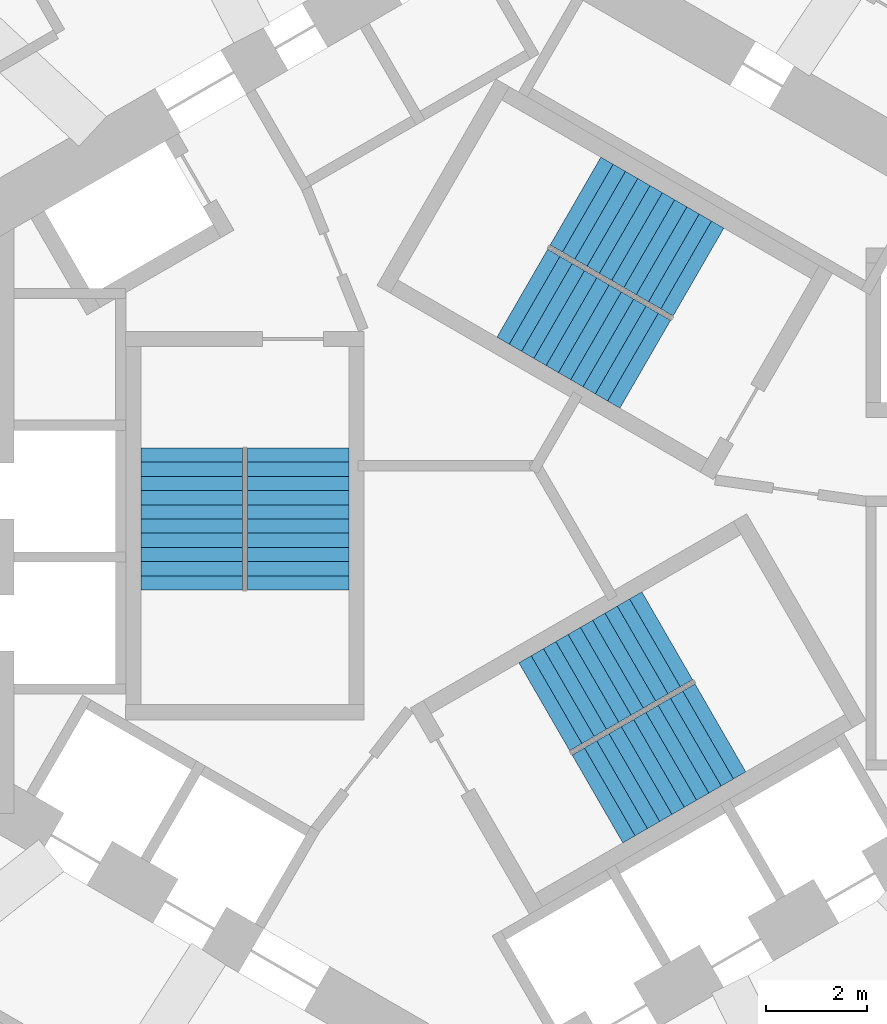
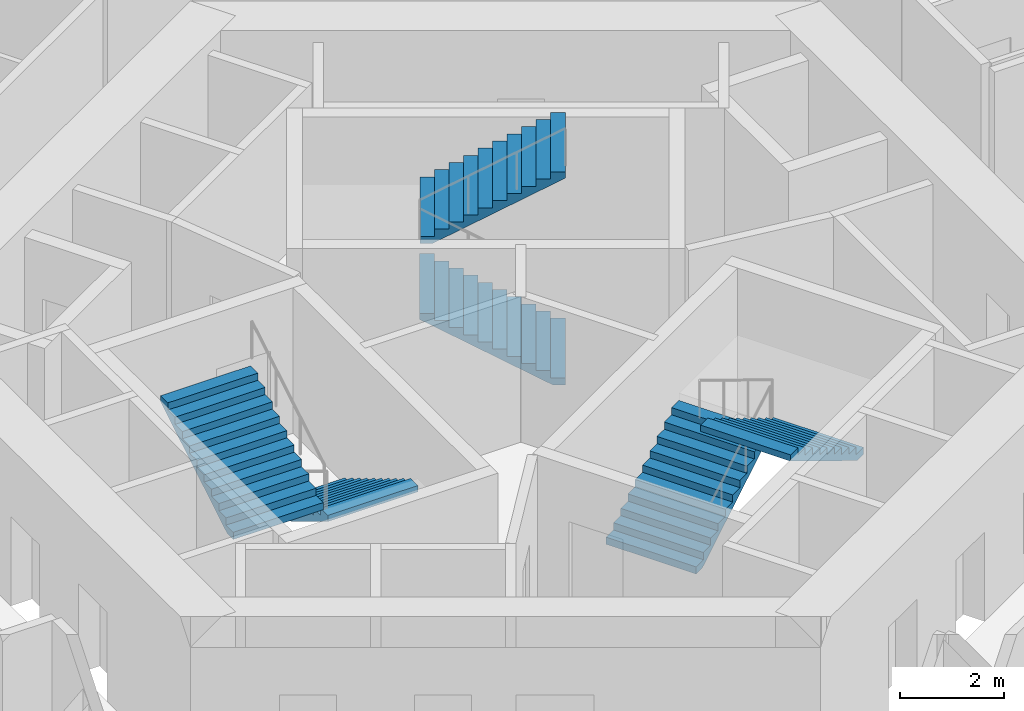
# One storey, part 9 of 11: 6 stair flights, 3 elements without a shape of their own.
"""IFC4 building model written with IfcOpenShell, lengths in metres."""

from ifc_helpers import new_model, si_unit, direction, frame, origin, place, context, subcontext, project, spatial, triangles, source, transform, mapped, material, type_object, element, aggregate, save


model = new_model("IFC4")

# Units and contexts
model_context = context("Model", 3, precision=1e-05, world=origin(), true_north=direction((0.0, 1.0)))
body_context = subcontext(model_context, "Body", "Model", "MODEL_VIEW")
ifc_project = project(units=[si_unit("LENGTHUNIT", "METRE"), si_unit("AREAUNIT", "SQUARE_METRE"), si_unit("VOLUMEUNIT", "CUBIC_METRE"), si_unit("PLANEANGLEUNIT", "RADIAN"), si_unit("MASSUNIT", "GRAM", prefix="KILO")], contexts=[model_context])

# Site, building, storey
site_placement = place(None, origin())
site = spatial("IfcSite", under=ifc_project, at=site_placement, CompositionType="ELEMENT")
building_placement = place(site_placement, origin())
building = spatial("IfcBuilding", under=site, at=building_placement, Name="Vanh Sen Convention Tower", CompositionType="ELEMENT")
storey_placement = place(building_placement, frame((0.0, 0.0, 183.60009765625)))
storey = spatial("IfcBuildingStorey", under=building, at=storey_placement, Name="L45", CompositionType="ELEMENT", Elevation=183.60009765625)

# Stair, stair flights
ifc_material_1 = material(Name="Concrete C50/60", Category="concrete")
stair_type_1 = type_object("IfcStairType", Name="Exit stair ST1 22 risers at 168.2", PredefinedType="HALF_TURN_STAIR", material=ifc_material_1)
stair_1_placement = place(storey_placement, origin())
stair_1 = element("IfcStair", 1, at=stair_1_placement, inside=storey, type_object=stair_type_1, Name="Exit stair ST1 L45", PredefinedType="HALF_TURN_STAIR")
ifc_material_2 = material(Name="Concrete C40/50", Category="concrete")
stair_flight_type = type_object("IfcStairFlightType", Name="Stair flight 2000", PredefinedType="STRAIGHT", material=ifc_material_2)
shared_shape = source(origin(), body_context, "Body", "Tessellation", [
    triangles([(0.24267578125, 1.0, 0.0), (0.0, 1.0, 0.0), (0.0, 1.0, 0.168212890625), (0.280029296875, 1.0, 0.168212890625), (0.280029296875, 1.0, 0.33642578125), (0.56005859375, 1.0, 0.33642578125), (0.56005859375, 1.0, 0.504638671875), (0.840087890625, 1.0, 0.504638671875), (0.840087890625, 1.0, 0.672607421875), (1.1201171875, 1.0, 0.672607421875), (1.1201171875, 1.0, 0.8408203125), (1.39990234375, 1.0, 0.8408203125), (1.39990234375, 1.0, 1.009033203125), (1.679931640625, 1.0, 1.009033203125), (1.679931640625, 1.0, 1.17724609375), (1.9599609375, 1.0, 1.17724609375), (1.9599609375, 1.0, 1.345458984375), (2.239990234375, 1.0, 1.345458984375), (2.239990234375, 1.0, 1.513671875), (2.52001953125, 1.0, 1.513671875), (2.52001953125, 1.0, 1.681884765625), (2.800048828125, 1.0, 1.681884765625), (2.800048828125, 1.0, 1.535888671875), (0.24267578125, -1.0, 0.0), (0.0, -1.0, 0.0), (0.0, -1.0, 0.168212890625), (0.280029296875, -1.0, 0.168212890625), (0.280029296875, -1.0, 0.33642578125), (0.56005859375, -1.0, 0.33642578125), (0.56005859375, -1.0, 0.504638671875), (0.840087890625, -1.0, 0.504638671875), (0.840087890625, -1.0, 0.672607421875), (1.1201171875, -1.0, 0.672607421875), (1.1201171875, -1.0, 0.8408203125), (1.39990234375, -1.0, 0.8408203125), (1.39990234375, -1.0, 1.009033203125), (1.679931640625, -1.0, 1.009033203125), (1.679931640625, -1.0, 1.17724609375), (1.9599609375, -1.0, 1.17724609375), (1.9599609375, -1.0, 1.345458984375), (2.239990234375, -1.0, 1.345458984375), (2.239990234375, -1.0, 1.513671875), (2.52001953125, -1.0, 1.513671875), (2.52001953125, -1.0, 1.681884765625), (2.800048828125, -1.0, 1.681884765625), (2.800048828125, -1.0, 1.535888671875), (0.0, 0.0400390625, 0.0), (0.0, 0.0390625, 0.0), (0.0, 0.0380859375, 0.0), (0.0, 0.037109375, 0.0), (0.0, 0.035888671875, 0.0), (0.0, 0.034912109375, 0.0), (0.0, 0.033935546875, 0.0), (0.0, 0.032958984375, 0.0), (0.0, 0.031982421875, 0.0), (0.0, 0.031005859375, 0.0), (0.0, 0.030029296875, 0.0), (0.0, 0.029052734375, 0.0), (0.0, 0.028076171875, 0.0), (0.0, 0.027099609375, 0.0), (0.0, 0.02587890625, 0.0), (0.0, 0.02490234375, 0.0), (0.0, 0.02392578125, 0.0), (0.0, 0.02294921875, 0.0), (0.0, 0.02197265625, 0.0), (0.0, 0.02099609375, 0.0), (0.0, 0.02001953125, 0.0), (0.0, 0.01904296875, 0.0), (0.0, 0.01806640625, 0.0), (0.0, 0.01708984375, 0.0), (0.0, 0.01611328125, 0.0), (0.0, 0.014892578125, 0.0), (0.0, 0.013916015625, 0.0), (0.0, 0.012939453125, 0.0), (0.0, 0.011962890625, 0.0), (0.0, 0.010986328125, 0.0), (0.0, 0.010009765625, 0.0), (0.0, 0.009033203125, 0.0), (0.0, 0.008056640625, 0.0), (0.0, 0.007080078125, 0.0), (0.0, 0.006103515625, 0.0), (0.0, 0.0048828125, 0.0), (0.0, 0.00390625, 0.0), (0.0, 0.0029296875, 0.0), (0.0, 0.001953125, 0.0), (0.0, 0.0009765625, 0.0), (0.0, 0.0, 0.0), (0.0, -0.0009765625, 0.0), (0.0, -0.001953125, 0.0), (0.0, -0.0029296875, 0.0), (0.0, -0.00390625, 0.0), (0.0, -0.0048828125, 0.0), (0.0, -0.006103515625, 0.0), (0.0, -0.007080078125, 0.0), (0.0, -0.008056640625, 0.0), (0.0, -0.009033203125, 0.0), (0.0, -0.010009765625, 0.0), (0.0, -0.010986328125, 0.0), (0.0, -0.011962890625, 0.0), (0.0, -0.012939453125, 0.0), (0.0, -0.013916015625, 0.0), (0.0, -0.014892578125, 0.0), (0.0, -0.01611328125, 0.0), (0.0, -0.01708984375, 0.0), (0.0, -0.01806640625, 0.0), (0.0, -0.01904296875, 0.0), (0.0, -0.02001953125, 0.0), (0.0, -0.02099609375, 0.0), (0.0, -0.02197265625, 0.0), (0.0, -0.02294921875, 0.0), (0.0, -0.02392578125, 0.0), (0.0, -0.02490234375, 0.0), (0.0, -0.02587890625, 0.0), (0.0, -0.027099609375, 0.0), (0.0, -0.028076171875, 0.0), (0.0, -0.029052734375, 0.0), (0.0, -0.030029296875, 0.0), (0.0, -0.031005859375, 0.0), (0.0, -0.031982421875, 0.0), (0.0, -0.032958984375, 0.0), (0.0, -0.033935546875, 0.0), (0.0, -0.034912109375, 0.0), (0.0, -0.035888671875, 0.0), (0.0, -0.037109375, 0.0), (0.0, -0.0380859375, 0.0), (0.0, -0.0390625, 0.0), (0.0, -0.0400390625, 0.0), (0.0, 0.0400390625, 0.168212890625), (0.0, 0.0390625, 0.168212890625), (0.0, 0.0380859375, 0.168212890625), (0.0, 0.037109375, 0.168212890625), (0.0, 0.035888671875, 0.168212890625), (0.0, 0.034912109375, 0.168212890625), (0.0, 0.033935546875, 0.168212890625), (0.0, 0.032958984375, 0.168212890625), (0.0, 0.031982421875, 0.168212890625), (0.0, 0.031005859375, 0.168212890625), (0.0, 0.030029296875, 0.168212890625), (0.0, 0.029052734375, 0.168212890625), (0.0, 0.028076171875, 0.168212890625), (0.0, 0.027099609375, 0.168212890625), (0.0, 0.02587890625, 0.168212890625), (0.0, 0.02490234375, 0.168212890625), (0.0, 0.02392578125, 0.168212890625), (0.0, 0.02294921875, 0.168212890625), (0.0, 0.02197265625, 0.168212890625), (0.0, 0.02099609375, 0.168212890625), (0.0, 0.02001953125, 0.168212890625), (0.0, 0.01904296875, 0.168212890625), (0.0, 0.01806640625, 0.168212890625), (0.0, 0.01708984375, 0.168212890625), (0.0, 0.01611328125, 0.168212890625), (0.0, 0.014892578125, 0.168212890625), (0.0, 0.013916015625, 0.168212890625), (0.0, 0.012939453125, 0.168212890625), (0.0, 0.011962890625, 0.168212890625), (0.0, 0.010986328125, 0.168212890625), (0.0, 0.010009765625, 0.168212890625), (0.0, 0.009033203125, 0.168212890625), (0.0, 0.008056640625, 0.168212890625), (0.0, 0.007080078125, 0.168212890625), (0.0, 0.006103515625, 0.168212890625), (0.0, 0.0048828125, 0.168212890625), (0.0, 0.00390625, 0.168212890625), (0.0, 0.0029296875, 0.168212890625), (0.0, 0.001953125, 0.168212890625), (0.0, 0.0009765625, 0.168212890625), (0.0, 0.0, 0.168212890625), (0.0, -0.0009765625, 0.168212890625), (0.0, -0.001953125, 0.168212890625), (0.0, -0.0029296875, 0.168212890625), (0.0, -0.00390625, 0.168212890625), (0.0, -0.0048828125, 0.168212890625), (0.0, -0.006103515625, 0.168212890625), (0.0, -0.007080078125, 0.168212890625), (0.0, -0.008056640625, 0.168212890625), (0.0, -0.009033203125, 0.168212890625), (0.0, -0.010009765625, 0.168212890625), (0.0, -0.010986328125, 0.168212890625), (0.0, -0.011962890625, 0.168212890625), (0.0, -0.012939453125, 0.168212890625), (0.0, -0.013916015625, 0.168212890625), (0.0, -0.014892578125, 0.168212890625), (0.0, -0.01611328125, 0.168212890625), (0.0, -0.01708984375, 0.168212890625), (0.0, -0.01806640625, 0.168212890625), (0.0, -0.01904296875, 0.168212890625), (0.0, -0.02001953125, 0.168212890625), (0.0, -0.02099609375, 0.168212890625), (0.0, -0.02197265625, 0.168212890625), (0.0, -0.02294921875, 0.168212890625), (0.0, -0.02392578125, 0.168212890625), (0.0, -0.02490234375, 0.168212890625), (0.0, -0.02587890625, 0.168212890625), (0.0, -0.027099609375, 0.168212890625), (0.0, -0.028076171875, 0.168212890625), (0.0, -0.029052734375, 0.168212890625), (0.0, -0.030029296875, 0.168212890625), (0.0, -0.031005859375, 0.168212890625), (0.0, -0.031982421875, 0.168212890625), (0.0, -0.032958984375, 0.168212890625), (0.0, -0.033935546875, 0.168212890625), (0.0, -0.034912109375, 0.168212890625), (0.0, -0.035888671875, 0.168212890625), (0.0, -0.037109375, 0.168212890625), (0.0, -0.0380859375, 0.168212890625), (0.0, -0.0390625, 0.168212890625), (0.0, -0.0400390625, 0.168212890625), (0.280029296875, 0.0, 0.168212890625), (0.280029296875, 0.0, 0.33642578125), (0.56005859375, 0.0, 0.33642578125), (0.56005859375, 0.0, 0.504638671875), (0.840087890625, 0.0, 0.504638671875), (0.840087890625, 0.0, 0.672607421875), (1.1201171875, 0.0, 0.672607421875), (1.1201171875, 0.0, 0.8408203125), (1.39990234375, 0.0, 0.8408203125), (1.39990234375, 0.0, 1.009033203125), (1.679931640625, 0.0, 1.009033203125), (1.679931640625, 0.0, 1.17724609375), (1.9599609375, 0.0, 1.17724609375), (1.9599609375, 0.0, 1.345458984375), (2.239990234375, 0.0, 1.345458984375), (2.239990234375, 0.0, 1.513671875), (2.52001953125, 0.0, 1.513671875), (2.52001953125, 0.0, 1.681884765625), (2.800048828125, 0.0400390625, 1.681884765625), (2.800048828125, 0.0390625, 1.681884765625), (2.800048828125, 0.0380859375, 1.681884765625), (2.800048828125, 0.037109375, 1.681884765625), (2.800048828125, 0.035888671875, 1.681884765625), (2.800048828125, 0.034912109375, 1.681884765625), (2.800048828125, 0.033935546875, 1.681884765625), (2.800048828125, 0.032958984375, 1.681884765625), (2.800048828125, 0.031982421875, 1.681884765625), (2.800048828125, 0.031005859375, 1.681884765625), (2.800048828125, 0.030029296875, 1.681884765625), (2.800048828125, 0.029052734375, 1.681884765625), (2.800048828125, 0.028076171875, 1.681884765625), (2.800048828125, 0.027099609375, 1.681884765625), (2.800048828125, 0.02587890625, 1.681884765625), (2.800048828125, 0.02490234375, 1.681884765625), (2.800048828125, 0.02392578125, 1.681884765625), (2.800048828125, 0.02294921875, 1.681884765625), (2.800048828125, 0.02197265625, 1.681884765625), (2.800048828125, 0.02099609375, 1.681884765625), (2.800048828125, 0.02001953125, 1.681884765625), (2.800048828125, 0.01904296875, 1.681884765625), (2.800048828125, 0.01806640625, 1.681884765625), (2.800048828125, 0.01708984375, 1.681884765625), (2.800048828125, 0.01611328125, 1.681884765625), (2.800048828125, 0.014892578125, 1.681884765625), (2.800048828125, 0.013916015625, 1.681884765625), (2.800048828125, 0.012939453125, 1.681884765625), (2.800048828125, 0.011962890625, 1.681884765625), (2.800048828125, 0.010986328125, 1.681884765625), (2.800048828125, 0.010009765625, 1.681884765625), (2.800048828125, 0.009033203125, 1.681884765625), (2.800048828125, 0.008056640625, 1.681884765625), (2.800048828125, 0.007080078125, 1.681884765625), (2.800048828125, 0.006103515625, 1.681884765625), (2.800048828125, 0.0048828125, 1.681884765625), (2.800048828125, 0.00390625, 1.681884765625), (2.800048828125, 0.0029296875, 1.681884765625), (2.800048828125, 0.001953125, 1.681884765625), (2.800048828125, 0.0009765625, 1.681884765625), (2.800048828125, 0.0, 1.681884765625), (2.800048828125, -0.0009765625, 1.681884765625), (2.800048828125, -0.001953125, 1.681884765625), (2.800048828125, -0.0029296875, 1.681884765625), (2.800048828125, -0.00390625, 1.681884765625), (2.800048828125, -0.0048828125, 1.681884765625), (2.800048828125, -0.006103515625, 1.681884765625), (2.800048828125, -0.007080078125, 1.681884765625), (2.800048828125, -0.008056640625, 1.681884765625), (2.800048828125, -0.009033203125, 1.681884765625), (2.800048828125, -0.010009765625, 1.681884765625), (2.800048828125, -0.010986328125, 1.681884765625), (2.800048828125, -0.011962890625, 1.681884765625), (2.800048828125, -0.012939453125, 1.681884765625), (2.800048828125, -0.013916015625, 1.681884765625), (2.800048828125, -0.014892578125, 1.681884765625), (2.800048828125, -0.01611328125, 1.681884765625), (2.800048828125, -0.01708984375, 1.681884765625), (2.800048828125, -0.01806640625, 1.681884765625), (2.800048828125, -0.01904296875, 1.681884765625), (2.800048828125, -0.02001953125, 1.681884765625), (2.800048828125, -0.02099609375, 1.681884765625), (2.800048828125, -0.02197265625, 1.681884765625), (2.800048828125, -0.02294921875, 1.681884765625), (2.800048828125, -0.02392578125, 1.681884765625), (2.800048828125, -0.02490234375, 1.681884765625), (2.800048828125, -0.02587890625, 1.681884765625), (2.800048828125, -0.027099609375, 1.681884765625), (2.800048828125, -0.028076171875, 1.681884765625), (2.800048828125, -0.029052734375, 1.681884765625), (2.800048828125, -0.030029296875, 1.681884765625), (2.800048828125, -0.031005859375, 1.681884765625), (2.800048828125, -0.031982421875, 1.681884765625), (2.800048828125, -0.032958984375, 1.681884765625), (2.800048828125, -0.033935546875, 1.681884765625), (2.800048828125, -0.034912109375, 1.681884765625), (2.800048828125, -0.035888671875, 1.681884765625), (2.800048828125, -0.037109375, 1.681884765625), (2.800048828125, -0.0380859375, 1.681884765625), (2.800048828125, -0.0390625, 1.681884765625), (2.800048828125, -0.0400390625, 1.681884765625), (2.800048828125, 0.0400390625, 1.535888671875), (2.800048828125, 0.0390625, 1.535888671875), (2.800048828125, 0.0380859375, 1.535888671875), (2.800048828125, 0.037109375, 1.535888671875), (2.800048828125, 0.035888671875, 1.535888671875), (2.800048828125, 0.034912109375, 1.535888671875), (2.800048828125, 0.033935546875, 1.535888671875), (2.800048828125, 0.032958984375, 1.535888671875), (2.800048828125, 0.031982421875, 1.535888671875), (2.800048828125, 0.031005859375, 1.535888671875), (2.800048828125, 0.030029296875, 1.535888671875), (2.800048828125, 0.029052734375, 1.535888671875), (2.800048828125, 0.028076171875, 1.535888671875), (2.800048828125, 0.027099609375, 1.535888671875), (2.800048828125, 0.02587890625, 1.535888671875), (2.800048828125, 0.02490234375, 1.535888671875), (2.800048828125, 0.02392578125, 1.535888671875), (2.800048828125, 0.02294921875, 1.535888671875), (2.800048828125, 0.02197265625, 1.535888671875), (2.800048828125, 0.02099609375, 1.535888671875), (2.800048828125, 0.02001953125, 1.535888671875), (2.800048828125, 0.01904296875, 1.535888671875), (2.800048828125, 0.01806640625, 1.535888671875), (2.800048828125, 0.01708984375, 1.535888671875), (2.800048828125, 0.01611328125, 1.535888671875), (2.800048828125, 0.014892578125, 1.535888671875), (2.800048828125, 0.013916015625, 1.535888671875), (2.800048828125, 0.012939453125, 1.535888671875), (2.800048828125, 0.011962890625, 1.535888671875), (2.800048828125, 0.010986328125, 1.535888671875), (2.800048828125, 0.010009765625, 1.535888671875), (2.800048828125, 0.009033203125, 1.535888671875), (2.800048828125, 0.008056640625, 1.535888671875), (2.800048828125, 0.007080078125, 1.535888671875), (2.800048828125, 0.006103515625, 1.535888671875), (2.800048828125, 0.0048828125, 1.535888671875), (2.800048828125, 0.00390625, 1.535888671875), (2.800048828125, 0.0029296875, 1.535888671875), (2.800048828125, 0.001953125, 1.535888671875), (2.800048828125, 0.0009765625, 1.535888671875), (2.800048828125, 0.0, 1.535888671875), (2.800048828125, -0.0009765625, 1.535888671875), (2.800048828125, -0.001953125, 1.535888671875), (2.800048828125, -0.0029296875, 1.535888671875), (2.800048828125, -0.00390625, 1.535888671875), (2.800048828125, -0.0048828125, 1.535888671875), (2.800048828125, -0.006103515625, 1.535888671875), (2.800048828125, -0.007080078125, 1.535888671875), (2.800048828125, -0.008056640625, 1.535888671875), (2.800048828125, -0.009033203125, 1.535888671875), (2.800048828125, -0.010009765625, 1.535888671875), (2.800048828125, -0.010986328125, 1.535888671875), (2.800048828125, -0.011962890625, 1.535888671875), (2.800048828125, -0.012939453125, 1.535888671875), (2.800048828125, -0.013916015625, 1.535888671875), (2.800048828125, -0.014892578125, 1.535888671875), (2.800048828125, -0.01611328125, 1.535888671875), (2.800048828125, -0.01708984375, 1.535888671875), (2.800048828125, -0.01806640625, 1.535888671875), (2.800048828125, -0.01904296875, 1.535888671875), (2.800048828125, -0.02001953125, 1.535888671875), (2.800048828125, -0.02099609375, 1.535888671875), (2.800048828125, -0.02197265625, 1.535888671875), (2.800048828125, -0.02294921875, 1.535888671875), (2.800048828125, -0.02392578125, 1.535888671875), (2.800048828125, -0.02490234375, 1.535888671875), (2.800048828125, -0.02587890625, 1.535888671875), (2.800048828125, -0.027099609375, 1.535888671875), (2.800048828125, -0.028076171875, 1.535888671875), (2.800048828125, -0.029052734375, 1.535888671875), (2.800048828125, -0.030029296875, 1.535888671875), (2.800048828125, -0.031005859375, 1.535888671875), (2.800048828125, -0.031982421875, 1.535888671875), (2.800048828125, -0.032958984375, 1.535888671875), (2.800048828125, -0.033935546875, 1.535888671875), (2.800048828125, -0.034912109375, 1.535888671875), (2.800048828125, -0.035888671875, 1.535888671875), (2.800048828125, -0.037109375, 1.535888671875), (2.800048828125, -0.0380859375, 1.535888671875), (2.800048828125, -0.0390625, 1.535888671875), (2.800048828125, -0.0400390625, 1.535888671875), (0.24267578125, 0.0, 0.0)], [[1, 2, 3], [1, 3, 4], [4, 5, 6], [1, 4, 6], [6, 7, 8], [1, 6, 8], [8, 9, 10], [1, 8, 10], [10, 11, 12], [1, 10, 12], [12, 13, 14], [1, 12, 14], [14, 15, 16], [1, 14, 16], [16, 17, 18], [1, 16, 18], [18, 19, 20], [1, 18, 20], [20, 21, 22], [1, 20, 22], [22, 23, 1], [24, 26, 25], [24, 27, 26], [27, 29, 28], [24, 29, 27], [29, 31, 30], [24, 31, 29], [31, 33, 32], [24, 33, 31], [33, 35, 34], [24, 35, 33], [35, 37, 36], [24, 37, 35], [37, 39, 38], [24, 39, 37], [39, 41, 40], [24, 41, 39], [41, 43, 42], [24, 43, 41], [43, 45, 44], [24, 45, 43], [45, 24, 46], [2, 128, 3], [2, 47, 128], [47, 129, 128], [47, 48, 129], [48, 130, 129], [48, 49, 130], [49, 131, 130], [49, 50, 131], [50, 132, 131], [50, 51, 132], [51, 133, 132], [51, 52, 133], [52, 134, 133], [52, 53, 134], [53, 135, 134], [53, 54, 135], [54, 136, 135], [54, 55, 136], [55, 137, 136], [55, 56, 137], [56, 138, 137], [56, 57, 138], [57, 139, 138], [57, 58, 139], [58, 140, 139], [58, 59, 140], [59, 141, 140], [59, 60, 141], [60, 142, 141], [60, 61, 142], [61, 143, 142], [61, 62, 143], [62, 144, 143], [62, 63, 144], [63, 145, 144], [63, 64, 145], [64, 146, 145], [64, 65, 146], [65, 147, 146], [65, 66, 147], [66, 148, 147], [66, 67, 148], [67, 149, 148], [67, 68, 149], [68, 150, 149], [68, 69, 150], [69, 151, 150], [69, 70, 151], [70, 152, 151], [70, 71, 152], [71, 153, 152], [71, 72, 153], [72, 154, 153], [72, 73, 154], [73, 155, 154], [73, 74, 155], [74, 156, 155], [74, 75, 156], [75, 157, 156], [75, 76, 157], [76, 158, 157], [76, 77, 158], [77, 159, 158], [77, 78, 159], [78, 160, 159], [78, 79, 160], [79, 161, 160], [79, 80, 161], [80, 162, 161], [80, 81, 162], [81, 163, 162], [81, 82, 163], [82, 164, 163], [82, 83, 164], [83, 165, 164], [83, 84, 165], [84, 166, 165], [84, 85, 166], [85, 167, 166], [85, 86, 167], [86, 168, 167], [86, 87, 168], [87, 88, 168], [168, 88, 169], [88, 89, 169], [169, 89, 170], [89, 90, 170], [170, 90, 171], [90, 91, 171], [171, 91, 172], [91, 92, 172], [172, 92, 173], [92, 93, 173], [173, 93, 174], [93, 94, 174], [174, 94, 175], [94, 95, 175], [175, 95, 176], [95, 96, 176], [176, 96, 177], [96, 97, 177], [177, 97, 178], [97, 98, 178], [178, 98, 179], [98, 99, 179], [179, 99, 180], [99, 100, 180], [180, 100, 181], [100, 101, 181], [181, 101, 182], [101, 102, 182], [182, 102, 183], [102, 103, 183], [183, 103, 184], [103, 104, 184], [184, 104, 185], [104, 105, 185], [185, 105, 186], [105, 106, 186], [186, 106, 187], [106, 107, 187], [187, 107, 188], [107, 108, 188], [188, 108, 189], [108, 109, 189], [189, 109, 190], [109, 110, 190], [190, 110, 191], [110, 111, 191], [191, 111, 192], [111, 112, 192], [192, 112, 193], [112, 113, 193], [193, 113, 194], [113, 114, 194], [194, 114, 195], [114, 115, 195], [195, 115, 196], [115, 116, 196], [196, 116, 197], [116, 117, 197], [197, 117, 198], [117, 118, 198], [198, 118, 199], [118, 119, 199], [199, 119, 200], [119, 120, 200], [200, 120, 201], [120, 121, 201], [201, 121, 202], [121, 122, 202], [202, 122, 203], [122, 123, 203], [203, 123, 204], [123, 124, 204], [204, 124, 205], [124, 125, 205], [205, 125, 206], [125, 126, 206], [206, 126, 207], [126, 127, 207], [207, 127, 208], [127, 25, 208], [208, 25, 26], [4, 3, 128], [4, 128, 129], [4, 129, 130], [4, 130, 131], [4, 131, 132], [4, 132, 133], [4, 133, 134], [4, 134, 135], [4, 135, 136], [4, 136, 137], [4, 137, 138], [4, 138, 139], [4, 139, 140], [4, 140, 141], [4, 141, 142], [4, 142, 143], [4, 143, 144], [4, 144, 145], [4, 145, 146], [4, 146, 147], [4, 147, 148], [4, 148, 149], [4, 149, 150], [4, 150, 151], [4, 151, 152], [4, 152, 153], [4, 153, 154], [4, 154, 155], [4, 155, 156], [4, 156, 157], [4, 157, 158], [4, 158, 159], [4, 159, 160], [4, 160, 161], [4, 161, 162], [4, 162, 163], [4, 163, 164], [4, 164, 165], [4, 165, 166], [4, 166, 167], [4, 167, 168], [27, 168, 169], [27, 169, 170], [27, 170, 171], [27, 171, 172], [27, 172, 173], [27, 173, 174], [27, 174, 175], [27, 175, 176], [27, 176, 177], [27, 177, 178], [27, 178, 179], [27, 179, 180], [27, 180, 181], [27, 181, 182], [27, 182, 183], [27, 183, 184], [27, 184, 185], [27, 185, 186], [27, 186, 187], [27, 187, 188], [27, 188, 189], [27, 189, 190], [27, 190, 191], [27, 191, 192], [27, 192, 193], [27, 193, 194], [27, 194, 195], [27, 195, 196], [27, 196, 197], [27, 197, 198], [27, 198, 199], [27, 199, 200], [27, 200, 201], [27, 201, 202], [27, 202, 203], [27, 203, 204], [27, 204, 205], [27, 205, 206], [27, 206, 207], [27, 207, 208], [27, 208, 26], [4, 168, 209], [27, 209, 168], [4, 210, 5], [4, 209, 210], [209, 27, 210], [210, 27, 28], [5, 211, 6], [5, 210, 211], [210, 28, 211], [211, 28, 29], [6, 212, 7], [6, 211, 212], [211, 29, 212], [212, 29, 30], [7, 213, 8], [7, 212, 213], [212, 30, 213], [213, 30, 31], [8, 214, 9], [8, 213, 214], [213, 31, 214], [214, 31, 32], [9, 215, 10], [9, 214, 215], [214, 32, 215], [215, 32, 33], [10, 216, 11], [10, 215, 216], [215, 33, 216], [216, 33, 34], [11, 217, 12], [11, 216, 217], [216, 34, 217], [217, 34, 35], [12, 218, 13], [12, 217, 218], [217, 35, 218], [218, 35, 36], [13, 219, 14], [13, 218, 219], [218, 36, 219], [219, 36, 37], [14, 220, 15], [14, 219, 220], [219, 37, 220], [220, 37, 38], [15, 221, 16], [15, 220, 221], [220, 38, 221], [221, 38, 39], [16, 222, 17], [16, 221, 222], [221, 39, 222], [222, 39, 40], [17, 223, 18], [17, 222, 223], [222, 40, 223], [223, 40, 41], [18, 224, 19], [18, 223, 224], [223, 41, 224], [224, 41, 42], [19, 225, 20], [19, 224, 225], [224, 42, 225], [225, 42, 43], [20, 226, 21], [20, 225, 226], [225, 43, 226], [226, 43, 44], [21, 227, 22], [21, 228, 227], [21, 229, 228], [21, 230, 229], [21, 231, 230], [21, 232, 231], [21, 233, 232], [21, 234, 233], [21, 235, 234], [21, 236, 235], [21, 237, 236], [21, 238, 237], [21, 239, 238], [21, 240, 239], [21, 241, 240], [21, 242, 241], [21, 243, 242], [21, 244, 243], [21, 245, 244], [21, 246, 245], [21, 247, 246], [21, 248, 247], [21, 249, 248], [21, 250, 249], [21, 251, 250], [21, 252, 251], [21, 253, 252], [21, 254, 253], [21, 255, 254], [21, 256, 255], [21, 257, 256], [21, 258, 257], [21, 259, 258], [21, 260, 259], [21, 261, 260], [21, 262, 261], [21, 263, 262], [21, 264, 263], [21, 265, 264], [21, 266, 265], [21, 267, 266], [44, 268, 267], [44, 269, 268], [44, 270, 269], [44, 271, 270], [44, 272, 271], [44, 273, 272], [44, 274, 273], [44, 275, 274], [44, 276, 275], [44, 277, 276], [44, 278, 277], [44, 279, 278], [44, 280, 279], [44, 281, 280], [44, 282, 281], [44, 283, 282], [44, 284, 283], [44, 285, 284], [44, 286, 285], [44, 287, 286], [44, 288, 287], [44, 289, 288], [44, 290, 289], [44, 291, 290], [44, 292, 291], [44, 293, 292], [44, 294, 293], [44, 295, 294], [44, 296, 295], [44, 297, 296], [44, 298, 297], [44, 299, 298], [44, 300, 299], [44, 301, 300], [44, 302, 301], [44, 303, 302], [44, 304, 303], [44, 305, 304], [44, 306, 305], [44, 307, 306], [44, 45, 307], [21, 226, 267], [44, 267, 226], [22, 308, 23], [22, 227, 308], [227, 309, 308], [227, 228, 309], [228, 310, 309], [228, 229, 310], [229, 311, 310], [229, 230, 311], [230, 312, 311], [230, 231, 312], [231, 313, 312], [231, 232, 313], [232, 314, 313], [232, 233, 314], [233, 315, 314], [233, 234, 315], [234, 316, 315], [234, 235, 316], [235, 317, 316], [235, 236, 317], [236, 318, 317], [236, 237, 318], [237, 319, 318], [237, 238, 319], [238, 320, 319], [238, 239, 320], [239, 321, 320], [239, 240, 321], [240, 322, 321], [240, 241, 322], [241, 323, 322], [241, 242, 323], [242, 324, 323], [242, 243, 324], [243, 325, 324], [243, 244, 325], [244, 326, 325], [244, 245, 326], [245, 327, 326], [245, 246, 327], [246, 328, 327], [246, 247, 328], [247, 329, 328], [247, 248, 329], [248, 330, 329], [248, 249, 330], [249, 331, 330], [249, 250, 331], [250, 332, 331], [250, 251, 332], [251, 333, 332], [251, 252, 333], [252, 334, 333], [252, 253, 334], [253, 335, 334], [253, 254, 335], [254, 336, 335], [254, 255, 336], [255, 337, 336], [255, 256, 337], [256, 338, 337], [256, 257, 338], [257, 339, 338], [257, 258, 339], [258, 340, 339], [258, 259, 340], [259, 341, 340], [259, 260, 341], [260, 342, 341], [260, 261, 342], [261, 343, 342], [261, 262, 343], [262, 344, 343], [262, 263, 344], [263, 345, 344], [263, 264, 345], [264, 346, 345], [264, 265, 346], [265, 347, 346], [265, 266, 347], [266, 348, 347], [266, 267, 348], [267, 268, 348], [348, 268, 349], [268, 269, 349], [349, 269, 350], [269, 270, 350], [350, 270, 351], [270, 271, 351], [351, 271, 352], [271, 272, 352], [352, 272, 353], [272, 273, 353], [353, 273, 354], [273, 274, 354], [354, 274, 355], [274, 275, 355], [355, 275, 356], [275, 276, 356], [356, 276, 357], [276, 277, 357], [357, 277, 358], [277, 278, 358], [358, 278, 359], [278, 279, 359], [359, 279, 360], [279, 280, 360], [360, 280, 361], [280, 281, 361], [361, 281, 362], [281, 282, 362], [362, 282, 363], [282, 283, 363], [363, 283, 364], [283, 284, 364], [364, 284, 365], [284, 285, 365], [365, 285, 366], [285, 286, 366], [366, 286, 367], [286, 287, 367], [367, 287, 368], [287, 288, 368], [368, 288, 369], [288, 289, 369], [369, 289, 370], [289, 290, 370], [370, 290, 371], [290, 291, 371], [371, 291, 372], [291, 292, 372], [372, 292, 373], [292, 293, 373], [373, 293, 374], [293, 294, 374], [374, 294, 375], [294, 295, 375], [375, 295, 376], [295, 296, 376], [376, 296, 377], [296, 297, 377], [377, 297, 378], [297, 298, 378], [378, 298, 379], [298, 299, 379], [379, 299, 380], [299, 300, 380], [380, 300, 381], [300, 301, 381], [381, 301, 382], [301, 302, 382], [382, 302, 383], [302, 303, 383], [383, 303, 384], [303, 304, 384], [384, 304, 385], [304, 305, 385], [385, 305, 386], [305, 306, 386], [386, 306, 387], [306, 307, 387], [387, 307, 388], [307, 45, 388], [388, 45, 46], [1, 23, 308], [1, 308, 309], [1, 309, 310], [1, 310, 311], [1, 311, 312], [1, 312, 313], [1, 313, 314], [1, 314, 315], [1, 315, 316], [1, 316, 317], [1, 317, 318], [1, 318, 319], [1, 319, 320], [1, 320, 321], [1, 321, 322], [1, 322, 323], [1, 323, 324], [1, 324, 325], [1, 325, 326], [1, 326, 327], [1, 327, 328], [1, 328, 329], [1, 329, 330], [1, 330, 331], [1, 331, 332], [1, 332, 333], [1, 333, 334], [1, 334, 335], [1, 335, 336], [1, 336, 337], [1, 337, 338], [1, 338, 339], [1, 339, 340], [1, 340, 341], [1, 341, 342], [1, 342, 343], [1, 343, 344], [1, 344, 345], [1, 345, 346], [1, 346, 347], [1, 347, 348], [24, 348, 349], [24, 349, 350], [24, 350, 351], [24, 351, 352], [24, 352, 353], [24, 353, 354], [24, 354, 355], [24, 355, 356], [24, 356, 357], [24, 357, 358], [24, 358, 359], [24, 359, 360], [24, 360, 361], [24, 361, 362], [24, 362, 363], [24, 363, 364], [24, 364, 365], [24, 365, 366], [24, 366, 367], [24, 367, 368], [24, 368, 369], [24, 369, 370], [24, 370, 371], [24, 371, 372], [24, 372, 373], [24, 373, 374], [24, 374, 375], [24, 375, 376], [24, 376, 377], [24, 377, 378], [24, 378, 379], [24, 379, 380], [24, 380, 381], [24, 381, 382], [24, 382, 383], [24, 383, 384], [24, 384, 385], [24, 385, 386], [24, 386, 387], [24, 387, 388], [24, 388, 46], [1, 348, 389], [24, 389, 348], [1, 47, 2], [1, 48, 47], [1, 49, 48], [1, 50, 49], [1, 51, 50], [1, 52, 51], [1, 53, 52], [1, 54, 53], [1, 55, 54], [1, 56, 55], [1, 57, 56], [1, 58, 57], [1, 59, 58], [1, 60, 59], [1, 61, 60], [1, 62, 61], [1, 63, 62], [1, 64, 63], [1, 65, 64], [1, 66, 65], [1, 67, 66], [1, 68, 67], [1, 69, 68], [1, 70, 69], [1, 71, 70], [1, 72, 71], [1, 73, 72], [1, 74, 73], [1, 75, 74], [1, 76, 75], [1, 77, 76], [1, 78, 77], [1, 79, 78], [1, 80, 79], [1, 81, 80], [1, 82, 81], [1, 83, 82], [1, 84, 83], [1, 85, 84], [1, 86, 85], [1, 87, 86], [24, 88, 87], [24, 89, 88], [24, 90, 89], [24, 91, 90], [24, 92, 91], [24, 93, 92], [24, 94, 93], [24, 95, 94], [24, 96, 95], [24, 97, 96], [24, 98, 97], [24, 99, 98], [24, 100, 99], [24, 101, 100], [24, 102, 101], [24, 103, 102], [24, 104, 103], [24, 105, 104], [24, 106, 105], [24, 107, 106], [24, 108, 107], [24, 109, 108], [24, 110, 109], [24, 111, 110], [24, 112, 111], [24, 113, 112], [24, 114, 113], [24, 115, 114], [24, 116, 115], [24, 117, 116], [24, 118, 117], [24, 119, 118], [24, 120, 119], [24, 121, 120], [24, 122, 121], [24, 123, 122], [24, 124, 123], [24, 125, 124], [24, 126, 125], [24, 127, 126], [24, 25, 127], [1, 389, 87], [24, 87, 389]], closed=True),
])
stair_flight_1_placement = place(storey_placement, frame((2.94580078125, 2.802490234375, 0.0), z_axis=(0.0, 0.0, 1.0), x_axis=(-0.866025403784, 0.5, 0.0)))
stair_flight_1 = element("IfcStairFlight", 2, at=stair_flight_1_placement, type_object=stair_flight_type, Name="ST1 flight 1", NumberOfRisers=11, NumberOfTreads=10, PredefinedType="STRAIGHT", RiserHeight=0.168181818, TreadLength=0.28, context=body_context, shape_type="MappedRepresentation", body=[
    mapped(shared_shape, transform((0.0, 0.0, 0.0))),
])
stair_flight_2_placement = place(storey_placement, frame((1.571044921875, 6.021240234375, 1.849853515625), z_axis=(0.0, 0.0, 1.0), x_axis=(0.866025403784, -0.5, 0.0)))
stair_flight_2 = element("IfcStairFlight", 3, at=stair_flight_2_placement, type_object=stair_flight_type, Name="ST1 flight 2", NumberOfRisers=11, NumberOfTreads=10, PredefinedType="STRAIGHT", RiserHeight=0.168181818, TreadLength=0.28, context=body_context, shape_type="MappedRepresentation", body=[
    mapped(shared_shape, transform((0.0, 0.0, 0.0))),
])
aggregate(stair_1, [stair_flight_1, stair_flight_2])

stair_type_2 = type_object("IfcStairType", Name="Exit stair ST2 22 risers at 168.2", PredefinedType="HALF_TURN_STAIR", material=ifc_material_1)
stair_2_placement = place(storey_placement, origin())
stair_2 = element("IfcStair", 4, at=stair_2_placement, inside=storey, type_object=stair_type_2, Name="Exit stair ST2 L45", PredefinedType="HALF_TURN_STAIR")
stair_flight_3_placement = place(storey_placement, frame((-3.89990234375, 1.14990234375, 0.0), z_axis=(0.0, 0.0, 1.0), x_axis=(0.0, -1.0, 0.0)))
stair_flight_3 = element("IfcStairFlight", 5, at=stair_flight_3_placement, type_object=stair_flight_type, Name="ST2 flight 1", NumberOfRisers=11, NumberOfTreads=10, PredefinedType="STRAIGHT", RiserHeight=0.168181818, TreadLength=0.28, context=body_context, shape_type="MappedRepresentation", body=[
    mapped(shared_shape, transform((0.0, 0.0, 0.0))),
])
stair_flight_4_placement = place(storey_placement, frame((-6.0, -1.64990234375, 1.849853515625), z_axis=(0.0, 0.0, 1.0), x_axis=(0.0, 1.0, 0.0)))
stair_flight_4 = element("IfcStairFlight", 6, at=stair_flight_4_placement, type_object=stair_flight_type, Name="ST2 flight 2", NumberOfRisers=11, NumberOfTreads=10, PredefinedType="STRAIGHT", RiserHeight=0.168181818, TreadLength=0.28, context=body_context, shape_type="MappedRepresentation", body=[
    mapped(shared_shape, transform((0.0, 0.0, 0.0))),
])
aggregate(stair_2, [stair_flight_3, stair_flight_4])

stair_type_3 = type_object("IfcStairType", Name="Exit stair ST3 22 risers at 168.2", PredefinedType="HALF_TURN_STAIR", material=ifc_material_1)
stair_3_placement = place(storey_placement, origin())
stair_3 = element("IfcStair", 7, at=stair_3_placement, inside=storey, type_object=stair_type_3, Name="Exit stair ST3 L45", PredefinedType="HALF_TURN_STAIR")
stair_flight_5_placement = place(storey_placement, frame((0.9541015625, -3.952392578125, 0.0), z_axis=(0.0, 0.0, 1.0), x_axis=(0.866025403784, 0.5, 0.0)))
stair_flight_5 = element("IfcStairFlight", 8, at=stair_flight_5_placement, type_object=stair_flight_type, Name="ST3 flight 1", NumberOfRisers=11, NumberOfTreads=10, PredefinedType="STRAIGHT", RiserHeight=0.168181818, TreadLength=0.28, context=body_context, shape_type="MappedRepresentation", body=[
    mapped(shared_shape, transform((0.0, 0.0, 0.0))),
])
stair_flight_6_placement = place(storey_placement, frame((4.428955078125, -4.37109375, 1.849853515625), z_axis=(0.0, 0.0, 1.0), x_axis=(-0.866025403784, -0.5, 0.0)))
stair_flight_6 = element("IfcStairFlight", 9, at=stair_flight_6_placement, type_object=stair_flight_type, Name="ST3 flight 2", NumberOfRisers=11, NumberOfTreads=10, PredefinedType="STRAIGHT", RiserHeight=0.168181818, TreadLength=0.28, context=body_context, shape_type="MappedRepresentation", body=[
    mapped(shared_shape, transform((0.0, 0.0, 0.0))),
])
aggregate(stair_3, [stair_flight_5, stair_flight_6])

save(model, "model.ifc")
